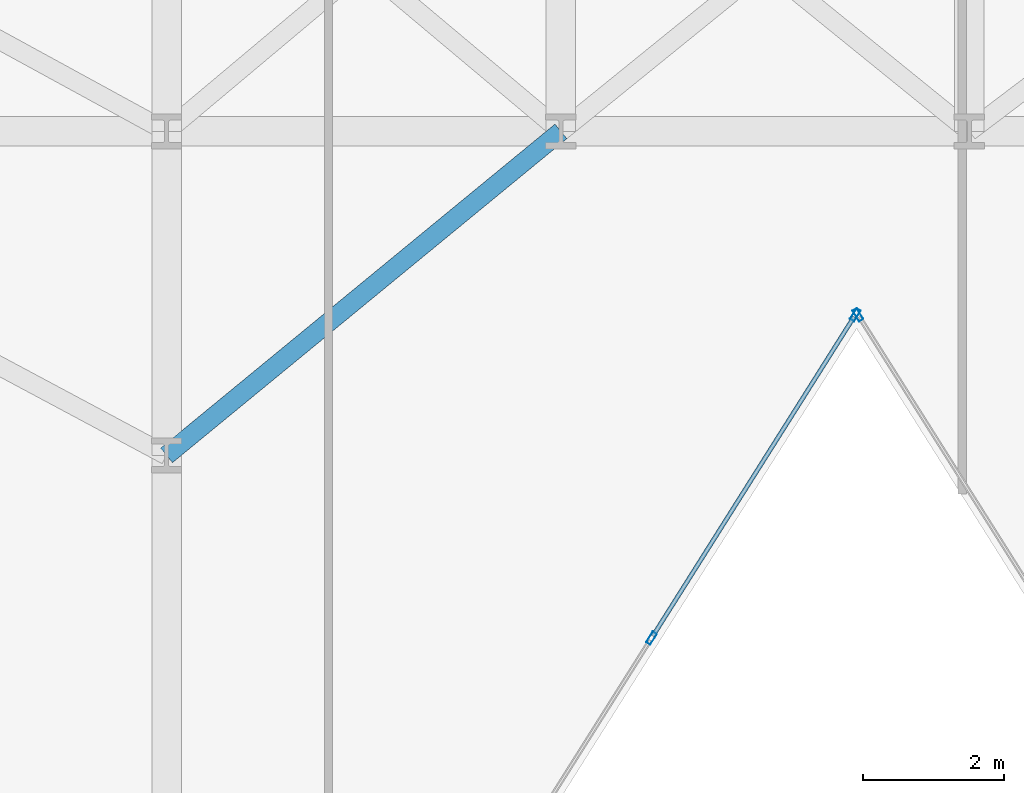
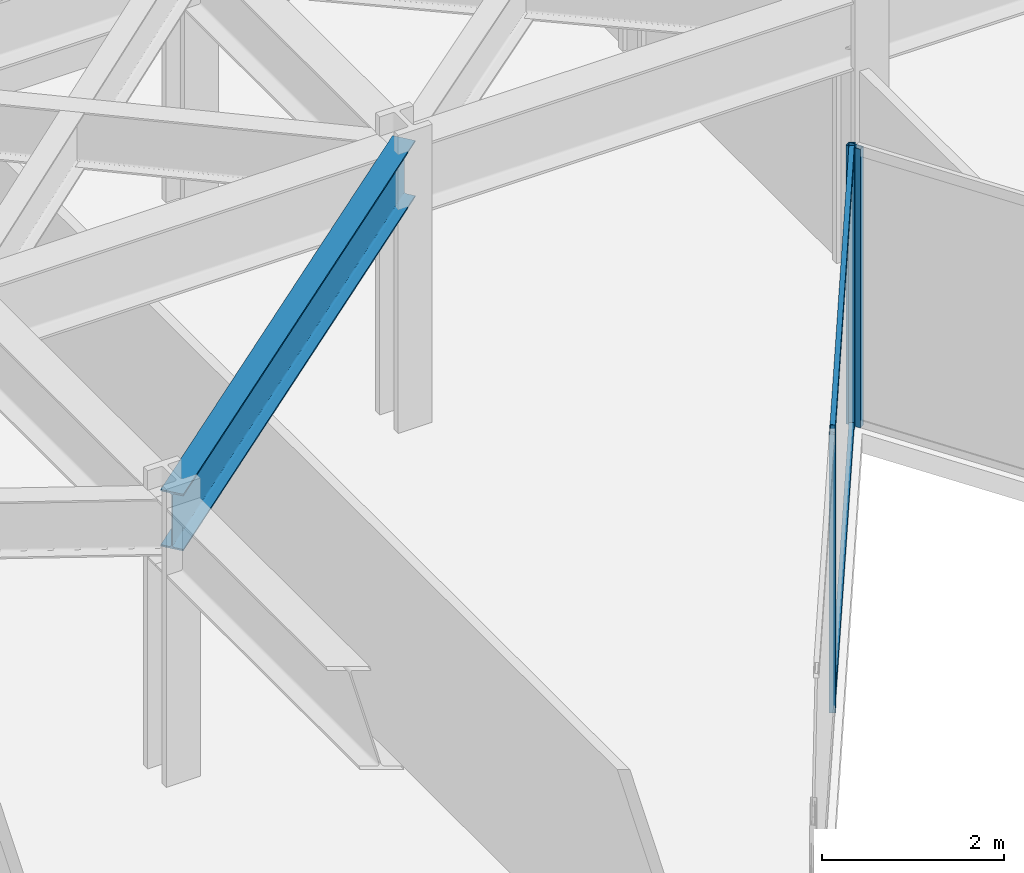
# One storey, part 10 of 25: 5 members, 1 beam, 2 elements without a shape of their own.
"""IFC4 building model written with IfcOpenShell, lengths in metres."""

from ifc_helpers import new_model, si_unit, direction, frame, origin, origin_2d, place, context, subcontext, project, spatial, hollow_rectangle, i_section, extrude, material, layer, layer_set, material_profile, profile_set, type_object, element, aggregate, save


model = new_model("IFC4")

# Units and contexts
model_context = context("Model", 3, precision=1e-05, world=origin(), true_north=direction((0.0, 1.0)))
body_context = subcontext(model_context, "Body", "Model", "MODEL_VIEW")
ifc_project = project(units=[si_unit("LENGTHUNIT", "METRE"), si_unit("AREAUNIT", "SQUARE_METRE"), si_unit("VOLUMEUNIT", "CUBIC_METRE"), si_unit("PLANEANGLEUNIT", "RADIAN"), si_unit("MASSUNIT", "GRAM", prefix="KILO")], contexts=[model_context])

# Site, building, storey
site_placement = place(None, origin())
site = spatial("IfcSite", under=ifc_project, at=site_placement, CompositionType="ELEMENT")
building_placement = place(site_placement, origin())
building = spatial("IfcBuilding", under=site, at=building_placement, Name="Kravanh Interchange Tower", CompositionType="ELEMENT")
storey_placement = place(building_placement, frame((0.0, 0.0, 73.5)))
storey = spatial("IfcBuildingStorey", under=building, at=storey_placement, Name="L17", CompositionType="ELEMENT", Elevation=73.5)

# Curtain wall, member
ifc_material_1 = material(Name="Anodised Bronze Aluminium", Category="aluminium")
ifc_layer = layer(ifc_material_1, 0.179931640625)
ifc_layer_set = layer_set([ifc_layer], Name="Unitised Curtain Wall System CW-Z1 Lower Office")
curtain_wall_type = type_object("IfcCurtainWallType", Name="Unitised Curtain Wall System CW-Z1 Lower Office", PredefinedType="NOTDEFINED", material=ifc_layer_set)
curtain_wall_1_placement = place(storey_placement, origin())
curtain_wall_1 = element("IfcCurtainWall", 1, at=curtain_wall_1_placement, inside=storey, type_object=curtain_wall_type, Name="L17 Unitised Curtain Wall CW-L17-04", PredefinedType="NOTDEFINED")
ifc_material_2 = material(Name="Anodised Bronze Aluminium", Category="aluminium")
ifc_material_profile_1 = material_profile(ifc_material_2, hollow_rectangle(XDim=0.070068359375, YDim=0.179931640625, WallThickness=0.00390625, at=origin_2d()), Name="ALU70X180X4")
ifc_profile_set_1 = profile_set([ifc_material_profile_1], Name="Anodised Bronze Aluminium")
member_type_1 = type_object("IfcMemberType", Name="Curtain Wall Mullion ALU70X180X4 Bronze", PredefinedType="MULLION", material=ifc_profile_set_1)
member_1_placement = place(storey_placement, frame((37.0185546875, 24.1953125, 0.0), z_axis=(0.0, 0.0, 1.0), x_axis=(-0.845925530786, -0.53330103728, 0.0)))
member_1 = element("IfcMember", 2, at=member_1_placement, type_object=member_type_1, Name="CW-Z1 mullion 6", PredefinedType="MULLION", context=body_context, shape_type="SweptSolid", body=[
    extrude(hollow_rectangle(XDim=0.070068359375, YDim=0.179931640625, WallThickness=0.00390625, at=origin_2d()), origin(), (0.0, 0.0, 1.0), 3.739990234375),
])
aggregate(curtain_wall_1, [member_1])

# Curtain wall, members
curtain_wall_2_placement = place(storey_placement, origin())
curtain_wall_2 = element("IfcCurtainWall", 3, at=curtain_wall_2_placement, inside=storey, type_object=curtain_wall_type, Name="L17 Unitised Curtain Wall CW-L17-05", PredefinedType="NOTDEFINED")
member_2_placement = place(storey_placement, frame((36.9814453125, 24.1953125, 0.0), z_axis=(0.0, 0.0, 1.0), x_axis=(0.845925530786, -0.53330103728, 0.0)))
member_2 = element("IfcMember", 4, at=member_2_placement, type_object=member_type_1, Name="CW-Z1 mullion 1", PredefinedType="MULLION", context=body_context, shape_type="SweptSolid", body=[
    extrude(hollow_rectangle(XDim=0.070068359375, YDim=0.179931640625, WallThickness=0.00390625, at=origin_2d()), origin(), (0.0, 0.0, 1.0), 3.739990234375),
])
member_3_placement = place(storey_placement, frame((34.086669921875, 19.60400390625, 0.0), z_axis=(0.0, 0.0, 1.0), x_axis=(0.845925530786, -0.53330103728, 0.0)))
member_3 = element("IfcMember", 5, at=member_3_placement, type_object=member_type_1, Name="CW-Z1 mullion 2", PredefinedType="MULLION", context=body_context, shape_type="SweptSolid", body=[
    extrude(hollow_rectangle(XDim=0.070068359375, YDim=0.179931640625, WallThickness=0.00390625, at=origin_2d()), origin(), (0.0, 0.0, 1.0), 3.739990234375),
])
ifc_material_3 = material(Name="Anodised Bronze Aluminium", Category="aluminium")
ifc_material_profile_2 = material_profile(ifc_material_3, hollow_rectangle(XDim=0.06005859375, YDim=0.139892578125, WallThickness=0.00390625, at=origin_2d()), Name="ALU60X140X4")
ifc_profile_set_2 = profile_set([ifc_material_profile_2], Name="Anodised Bronze Aluminium")
member_type_2 = type_object("IfcMemberType", Name="Curtain Wall Transom ALU60X140X4 Bronze", PredefinedType="USERDEFINED", material=ifc_profile_set_2)
member_4_placement = place(storey_placement, frame((36.962646484375, 24.165771484375, 0.030029296875), z_axis=(-0.533288163518, -0.845933646719, 0.0), x_axis=(0.845933646719, -0.533288163518, 0.0)))
member_4 = element("IfcMember", 6, at=member_4_placement, type_object=member_type_2, Name="CW-Z1 transom 1.1", ObjectType="TRANSOM", PredefinedType="USERDEFINED", context=body_context, shape_type="SweptSolid", body=[
    extrude(hollow_rectangle(XDim=0.06005859375, YDim=0.139892578125, WallThickness=0.00390625, at=origin_2d()), origin(), (0.0, 0.0, 1.0), 5.357666015625),
])
member_5_placement = place(storey_placement, frame((36.962646484375, 24.165771484375, 3.7099609375), z_axis=(-0.533288163518, -0.845933646719, 0.0), x_axis=(0.845933646719, -0.533288163518, 0.0)))
member_5 = element("IfcMember", 7, at=member_5_placement, type_object=member_type_2, Name="CW-Z1 transom 1.2", ObjectType="TRANSOM", PredefinedType="USERDEFINED", context=body_context, shape_type="SweptSolid", body=[
    extrude(hollow_rectangle(XDim=0.06005859375, YDim=0.139892578125, WallThickness=0.00390625, at=origin_2d()), origin(), (0.0, 0.0, 1.0), 5.357666015625),
])
aggregate(curtain_wall_2, [member_2, member_3, member_4, member_5])

# Beam
ifc_material_4 = material(Name="Structural Steel S355", Category="steel")
ifc_material_profile_3 = material_profile(ifc_material_4, i_section(OverallWidth=0.26708984375, OverallDepth=0.761962890625, WebThickness=0.014404296875, FlangeThickness=0.021484375, FilletRadius=0.02490234375, at=origin_2d()), Name="W30X116")
ifc_profile_set_3 = profile_set([ifc_material_profile_3], Name="Structural Steel S355")
beam_type = type_object("IfcBeamType", Name="Floor Spandrel W30X116 Structural Steel S355", PredefinedType="SPANDREL", material=ifc_profile_set_3)
beam_placement = place(storey_placement, frame((27.199951171875, 22.199951171875, 3.35888671875), z_axis=(0.772725074305, 0.634740860147, 0.0), x_axis=(-0.634740860147, 0.772725074305, 0.0)))
element("IfcBeam", 8, at=beam_placement, inside=storey, type_object=beam_type, Name="L17 Perimeter Spandrel 55", PredefinedType="SPANDREL", context=body_context, shape_type="SweptSolid", body=[
    extrude(i_section(OverallWidth=0.26708984375, OverallDepth=0.761962890625, WebThickness=0.014404296875, FlangeThickness=0.021484375, FilletRadius=0.02490234375, at=origin_2d()), origin(), (0.0, 0.0, 1.0), 7.247314453125),
])

save(model, "model.ifc")
